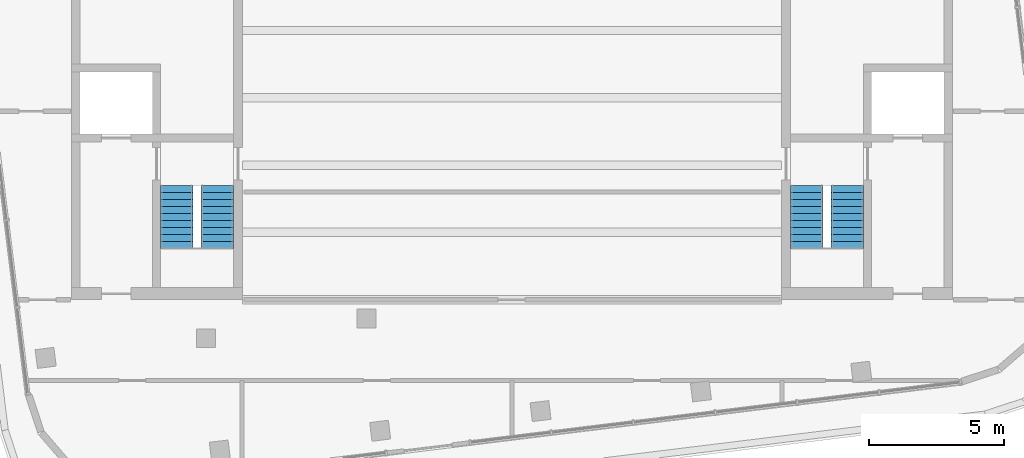
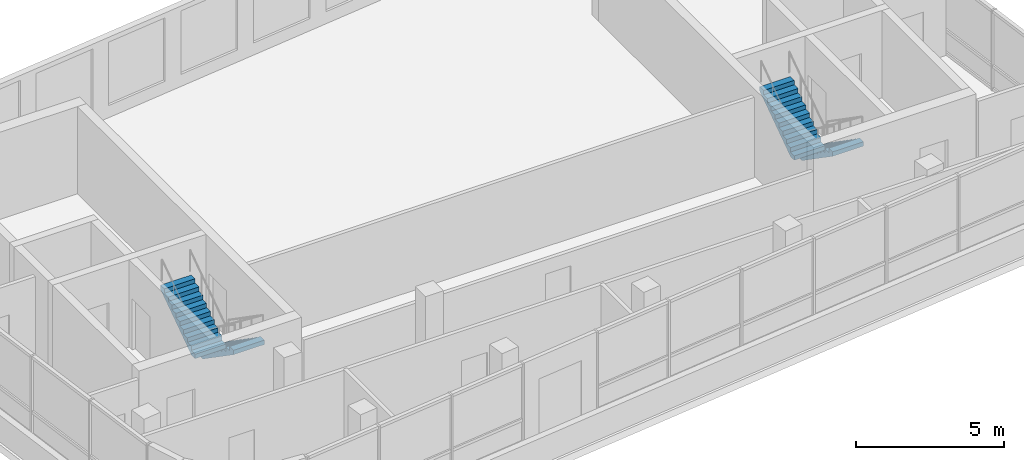
# One storey, part 6 of 7: 4 stair flights, 2 elements without a shape of their own.
"""IFC4 building model written with IfcOpenShell, lengths in metres."""

from ifc_helpers import new_model, si_unit, direction, frame, origin, place, context, subcontext, project, spatial, polyline, outline, extrude, material, type_object, element, aggregate, save


model = new_model("IFC4")

# Units and contexts
model_context = context("Model", 3, precision=1e-05, world=origin(), true_north=direction((0.0, 1.0)))
body_context = subcontext(model_context, "Body", "Model", "MODEL_VIEW")
ifc_project = project(units=[si_unit("LENGTHUNIT", "METRE"), si_unit("AREAUNIT", "SQUARE_METRE"), si_unit("VOLUMEUNIT", "CUBIC_METRE"), si_unit("PLANEANGLEUNIT", "RADIAN"), si_unit("MASSUNIT", "GRAM", prefix="KILO")], contexts=[model_context])

# Site, building, storey
site_placement = place(None, origin())
site = spatial("IfcSite", under=ifc_project, at=site_placement, CompositionType="ELEMENT")
building_placement = place(site_placement, origin())
building = spatial("IfcBuilding", under=site, at=building_placement, Name="Torana Hotel and Residences", CompositionType="ELEMENT")
storey_placement = place(building_placement, frame((0.0, 0.0, 353.800048828125)))
storey = spatial("IfcBuildingStorey", under=building, at=storey_placement, Name="C3", CompositionType="ELEMENT", Elevation=353.800048828125)

# Stair, stair flights
ifc_material_1 = material(Name="Concrete C40/50 precast", Category="concrete")
stair_type_1 = type_object("IfcStairType", Name="STAIR ST1 HALF TURN 1200", PredefinedType="HALF_TURN_STAIR", material=ifc_material_1)
stair_1_placement = place(storey_placement, origin())
stair_1 = element("IfcStair", 1, at=stair_1_placement, inside=storey, type_object=stair_type_1, Name="Stair ST1 C3", PredefinedType="HALF_TURN_STAIR")
ifc_material_2 = material(Name="Concrete C40/50 precast", Category="concrete")
stair_flight_type = type_object("IfcStairFlightType", Name="STAIR FLIGHT 1200 PRECAST", PredefinedType="STRAIGHT", material=ifc_material_2)
stair_flight_1_placement = place(storey_placement, frame((-10.949951171875, -10.75, 0.0), z_axis=(0.0, 0.0, 1.0), x_axis=(0.0, -1.0, 0.0)))
stair_flight_1 = element("IfcStairFlight", 2, at=stair_flight_1_placement, type_object=stair_flight_type, Name="ST1 flight 1", NumberOfRisers=10, NumberOfTreads=9, PredefinedType="STRAIGHT", RiserHeight=0.18, TreadLength=0.26, context=body_context, shape_type="SweptSolid", body=[
    extrude(outline(polyline([(0.0, 0.0), (0.0, 0.179931640625), (0.260009765625, 0.179931640625), (0.260009765625, 0.360107421875), (0.52001953125, 0.360107421875), (0.52001953125, 0.5400390625), (0.780029296875, 0.5400390625), (0.780029296875, 0.719970703125), (1.0400390625, 0.719970703125), (1.0400390625, 0.89990234375), (1.300048828125, 0.89990234375), (1.300048828125, 1.080078125), (1.56005859375, 1.080078125), (1.56005859375, 1.260009765625), (1.820068359375, 1.260009765625), (1.820068359375, 1.43994140625), (2.080078125, 1.43994140625), (2.080078125, 1.6201171875), (2.340087890625, 1.6201171875), (2.340087890625, 1.800048828125), (2.340087890625, 1.437744140625), (0.263427734375, 0.0), (0.0, 0.0)])), frame((0.0, 0.60009765625, 0.0), z_axis=(0.0, -1.0, 0.0), x_axis=(1.0, 0.0, 0.0)), (0.0, 0.0, 1.0), 1.199951171875),
])
stair_flight_2_placement = place(storey_placement, frame((-12.449951171875, -13.090087890625, 1.800048828125), z_axis=(0.0, 0.0, 1.0), x_axis=(0.0, 1.0, 0.0)))
stair_flight_2 = element("IfcStairFlight", 3, at=stair_flight_2_placement, type_object=stair_flight_type, Name="ST1 flight 2", NumberOfRisers=10, NumberOfTreads=9, PredefinedType="STRAIGHT", RiserHeight=0.18, TreadLength=0.26, context=body_context, shape_type="SweptSolid", body=[
    extrude(outline(polyline([(0.0, 0.0), (0.0, 0.179931640625), (0.260009765625, 0.179931640625), (0.260009765625, 0.360107421875), (0.52001953125, 0.360107421875), (0.52001953125, 0.5400390625), (0.780029296875, 0.5400390625), (0.780029296875, 0.719970703125), (1.0400390625, 0.719970703125), (1.0400390625, 0.89990234375), (1.300048828125, 0.89990234375), (1.300048828125, 1.080078125), (1.56005859375, 1.080078125), (1.56005859375, 1.260009765625), (1.820068359375, 1.260009765625), (1.820068359375, 1.43994140625), (2.080078125, 1.43994140625), (2.080078125, 1.6201171875), (2.340087890625, 1.6201171875), (2.340087890625, 1.800048828125), (2.340087890625, 1.437744140625), (0.263427734375, 0.0), (0.0, 0.0)])), frame((0.0, 0.60009765625, 0.0), z_axis=(0.0, -1.0, 0.0), x_axis=(1.0, 0.0, 0.0)), (0.0, 0.0, 1.0), 1.199951171875),
])
aggregate(stair_1, [stair_flight_1, stair_flight_2])

ifc_material_3 = material(Name="Concrete C40/50 precast", Category="concrete")
stair_type_2 = type_object("IfcStairType", Name="STAIR ST3 HALF TURN 1200", PredefinedType="HALF_TURN_STAIR", material=ifc_material_3)
stair_2_placement = place(storey_placement, origin())
stair_2 = element("IfcStair", 4, at=stair_2_placement, inside=storey, type_object=stair_type_2, Name="Stair ST3 C3", PredefinedType="HALF_TURN_STAIR")
stair_flight_3_placement = place(storey_placement, frame((12.449951171875, -10.75, 0.0), z_axis=(0.0, 0.0, 1.0), x_axis=(0.0, -1.0, 0.0)))
stair_flight_3 = element("IfcStairFlight", 5, at=stair_flight_3_placement, type_object=stair_flight_type, Name="ST3 flight 1", NumberOfRisers=10, NumberOfTreads=9, PredefinedType="STRAIGHT", RiserHeight=0.18, TreadLength=0.26, context=body_context, shape_type="SweptSolid", body=[
    extrude(outline(polyline([(0.0, 0.0), (0.0, 0.179931640625), (0.260009765625, 0.179931640625), (0.260009765625, 0.360107421875), (0.52001953125, 0.360107421875), (0.52001953125, 0.5400390625), (0.780029296875, 0.5400390625), (0.780029296875, 0.719970703125), (1.0400390625, 0.719970703125), (1.0400390625, 0.89990234375), (1.300048828125, 0.89990234375), (1.300048828125, 1.080078125), (1.56005859375, 1.080078125), (1.56005859375, 1.260009765625), (1.820068359375, 1.260009765625), (1.820068359375, 1.43994140625), (2.080078125, 1.43994140625), (2.080078125, 1.6201171875), (2.340087890625, 1.6201171875), (2.340087890625, 1.800048828125), (2.340087890625, 1.437744140625), (0.263427734375, 0.0), (0.0, 0.0)])), frame((0.0, 0.60009765625, 0.0), z_axis=(0.0, -1.0, 0.0), x_axis=(1.0, 0.0, 0.0)), (0.0, 0.0, 1.0), 1.199951171875),
])
stair_flight_4_placement = place(storey_placement, frame((10.949951171875, -13.090087890625, 1.800048828125), z_axis=(0.0, 0.0, 1.0), x_axis=(0.0, 1.0, 0.0)))
stair_flight_4 = element("IfcStairFlight", 6, at=stair_flight_4_placement, type_object=stair_flight_type, Name="ST3 flight 2", NumberOfRisers=10, NumberOfTreads=9, PredefinedType="STRAIGHT", RiserHeight=0.18, TreadLength=0.26, context=body_context, shape_type="SweptSolid", body=[
    extrude(outline(polyline([(0.0, 0.0), (0.0, 0.179931640625), (0.260009765625, 0.179931640625), (0.260009765625, 0.360107421875), (0.52001953125, 0.360107421875), (0.52001953125, 0.5400390625), (0.780029296875, 0.5400390625), (0.780029296875, 0.719970703125), (1.0400390625, 0.719970703125), (1.0400390625, 0.89990234375), (1.300048828125, 0.89990234375), (1.300048828125, 1.080078125), (1.56005859375, 1.080078125), (1.56005859375, 1.260009765625), (1.820068359375, 1.260009765625), (1.820068359375, 1.43994140625), (2.080078125, 1.43994140625), (2.080078125, 1.6201171875), (2.340087890625, 1.6201171875), (2.340087890625, 1.800048828125), (2.340087890625, 1.437744140625), (0.263427734375, 0.0), (0.0, 0.0)])), frame((0.0, 0.60009765625, 0.0), z_axis=(0.0, -1.0, 0.0), x_axis=(1.0, 0.0, 0.0)), (0.0, 0.0, 1.0), 1.199951171875),
])
aggregate(stair_2, [stair_flight_3, stair_flight_4])

save(model, "model.ifc")
